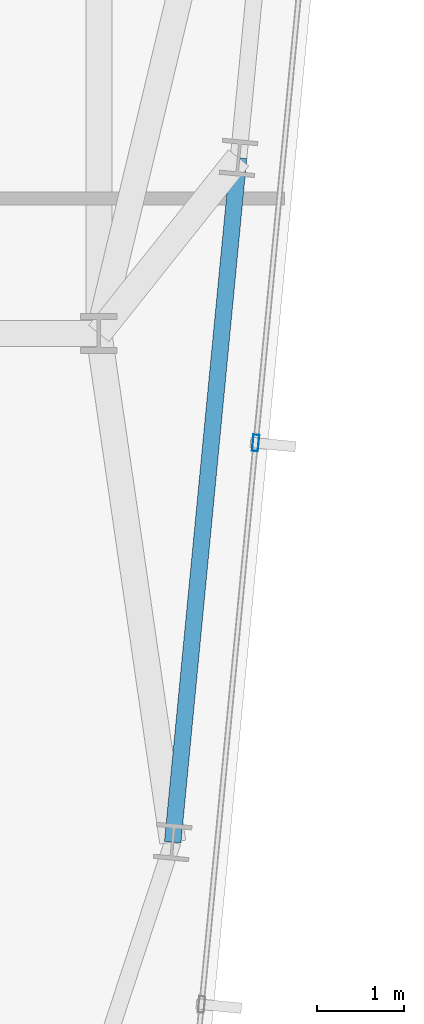
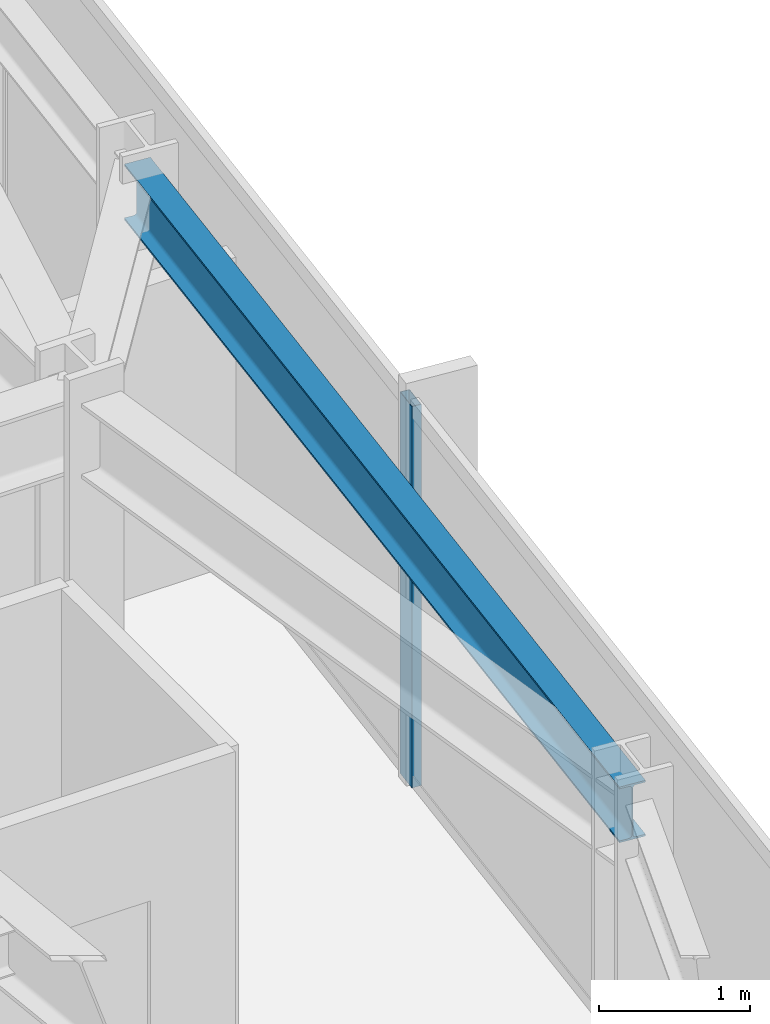
# One storey, part 16 of 37: 1 beam, 1 member, 1 element without a shape of its own.
"""IFC4 building model written with IfcOpenShell, lengths in metres."""

from ifc_helpers import new_model, si_unit, direction, frame, origin, origin_2d, place, context, subcontext, project, spatial, hollow_rectangle, i_section, extrude, material, material_profile, profile_set, type_object, element, aggregate, save


model = new_model("IFC4")

# Units and contexts
model_context = context("Model", 3, precision=1e-05, world=origin(), true_north=direction((0.0, 1.0)))
body_context = subcontext(model_context, "Body", "Model", "MODEL_VIEW")
ifc_project = project(units=[si_unit("LENGTHUNIT", "METRE"), si_unit("AREAUNIT", "SQUARE_METRE"), si_unit("VOLUMEUNIT", "CUBIC_METRE"), si_unit("PLANEANGLEUNIT", "RADIAN"), si_unit("MASSUNIT", "GRAM", prefix="KILO")], contexts=[model_context])

# Site, building, storey
site_placement = place(None, origin())
site = spatial("IfcSite", under=ifc_project, at=site_placement, CompositionType="ELEMENT")
building_placement = place(site_placement, origin())
building = spatial("IfcBuilding", under=site, at=building_placement, Name="Yelkora Congress Tower", CompositionType="ELEMENT")
storey_placement = place(building_placement, frame((0.0, 0.0, 175.39990234375)))
storey = spatial("IfcBuildingStorey", under=building, at=storey_placement, Name="L48", CompositionType="ELEMENT", Elevation=175.39990234375)

# Beam
ifc_material_1 = material(Name="Steel S355J2", Category="steel")
ifc_material_profile_1 = material_profile(ifc_material_1, i_section(OverallWidth=0.18994140625, OverallDepth=0.449951171875, WebThickness=0.009521484375, FlangeThickness=0.0146484375, FilletRadius=0.02099609375, at=origin_2d()), Name="IPE 450")
ifc_profile_set_1 = profile_set([ifc_material_profile_1], Name="Steel S355J2")
beam_type = type_object("IfcBeamType", Name="BM-SPAN-IPE450", PredefinedType="SPANDREL", material=ifc_profile_set_1)
beam_placement = place(storey_placement, frame((58.44921875, 19.353759765625, 2.85498046875), z_axis=(0.095831353931, 0.995397584689, 0.0), x_axis=(-0.995397584689, 0.095831353931, 0.0)))
element("IfcBeam", 1, at=beam_placement, inside=storey, type_object=beam_type, Name="L48 Perimeter Beam 10", PredefinedType="SPANDREL", context=body_context, shape_type="SweptSolid", body=[
    extrude(i_section(OverallWidth=0.18994140625, OverallDepth=0.449951171875, WebThickness=0.009521484375, FlangeThickness=0.0146484375, FilletRadius=0.02099609375, at=origin_2d()), origin(), (0.0, 0.0, 1.0), 7.900146484375),
])

# Curtain wall, member
ifc_material_2 = material(Name="Anodised aluminium and insulated glass", Category="aluminium")
curtain_wall_type = type_object("IfcCurtainWallType", Name="CW-SYS-B3", PredefinedType="NOTDEFINED", material=ifc_material_2)
curtain_wall_placement = place(storey_placement, origin())
curtain_wall = element("IfcCurtainWall", 2, at=curtain_wall_placement, inside=storey, type_object=curtain_wall_type, Name="L48 Unitised Curtain Wall 15", PredefinedType="NOTDEFINED")
ifc_material_3 = material(Name="Anodised aluminium 6063-T6", Category="aluminium")
ifc_material_profile_2 = material_profile(ifc_material_3, hollow_rectangle(XDim=0.070068359375, YDim=0.18994140625, WallThickness=0.00390625, at=origin_2d()), Name="ALU 70x190x4")
ifc_profile_set_2 = profile_set([ifc_material_profile_2], Name="Anodised aluminium 6063-T6")
member_type = type_object("IfcMemberType", Name="MEM-ML-B3", PredefinedType="MULLION", material=ifc_profile_set_2)
member_placement = place(storey_placement, frame((59.4033203125, 23.94140625, 0.0), z_axis=(0.0, 0.0, 1.0), x_axis=(0.995396565076, -0.095841944023, 0.0)))
member = element("IfcMember", 3, at=member_placement, type_object=member_type, Name="CW-B3 mullion 4", PredefinedType="MULLION", context=body_context, shape_type="SweptSolid", body=[
    extrude(hollow_rectangle(XDim=0.070068359375, YDim=0.18994140625, WallThickness=0.00390625, at=origin_2d()), origin(), (0.0, 0.0, 1.0), 3.080078125),
])
aggregate(curtain_wall, [member])

save(model, "model.ifc")
